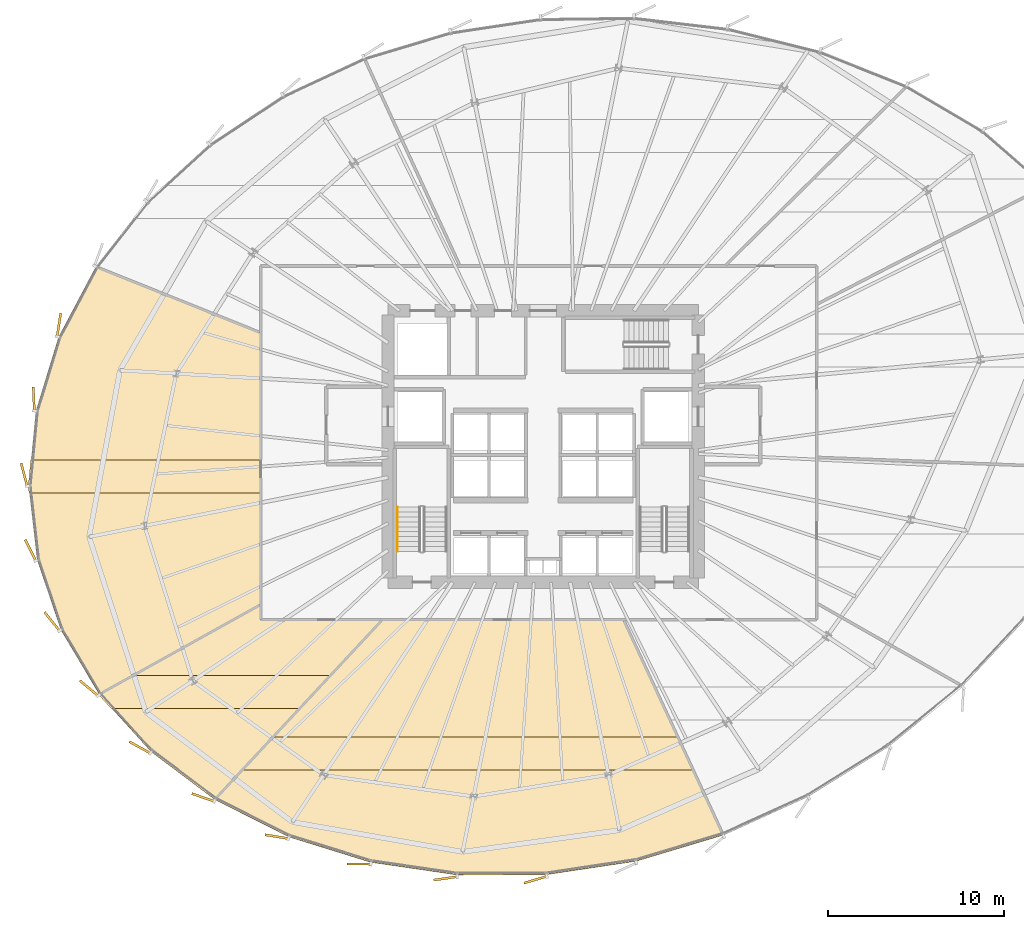
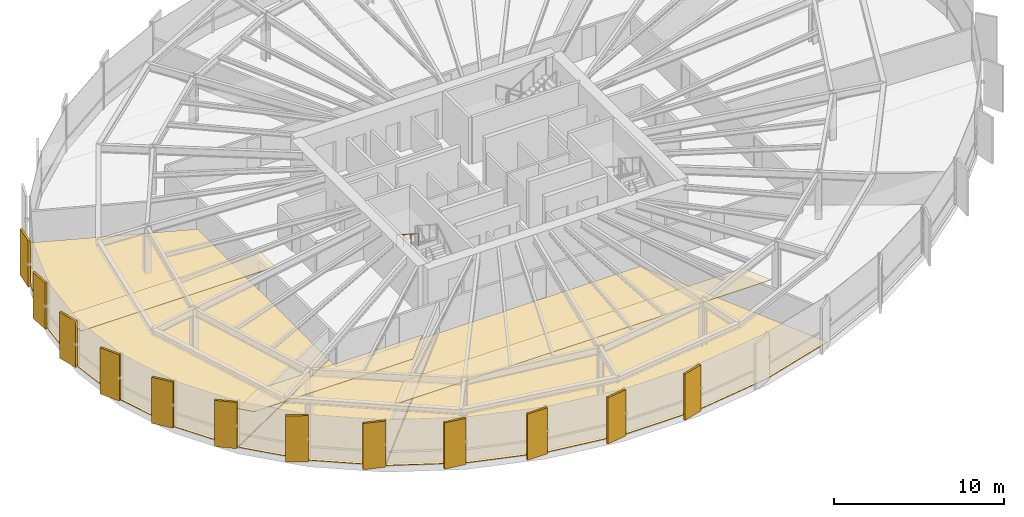
# One storey, part 32 of 35: 18 coverings, 1 railing.
"""IFC4 building model written with IfcOpenShell, lengths in metres."""

from ifc_helpers import new_model, si_unit, direction, frame, origin, origin_2d, place, context, subcontext, project, spatial, polyline, rectangle, circle, outline, extrude, source, transform, mapped, material, layer, layer_set, type_object, element, save


model = new_model("IFC4")

# Units and contexts
model_context = context("Model", 3, precision=1e-05, world=origin(), true_north=direction((0.0, 1.0)))
body_context = subcontext(model_context, "Body", "Model", "MODEL_VIEW")
ifc_project = project(units=[si_unit("LENGTHUNIT", "METRE"), si_unit("AREAUNIT", "SQUARE_METRE"), si_unit("VOLUMEUNIT", "CUBIC_METRE"), si_unit("PLANEANGLEUNIT", "RADIAN"), si_unit("MASSUNIT", "GRAM", prefix="KILO"), si_unit("THERMODYNAMICTEMPERATUREUNIT", "KELVIN")], contexts=[model_context])

# Site, building, storey
site_placement = place(None, origin())
site = spatial("IfcSite", under=ifc_project, at=site_placement, CompositionType="ELEMENT")
building_placement = place(site_placement, origin())
building = spatial("IfcBuilding", under=site, at=building_placement, Name="Kethvar Cultural Tower", CompositionType="ELEMENT")
storey_placement = place(building_placement, frame((0.0, 0.0, 85.60009765625)))
storey = spatial("IfcBuildingStorey", under=building, at=storey_placement, Name="L20", CompositionType="ELEMENT", Elevation=85.60009765625)

# Coverings
ifc_material_1 = material(Name="Acoustic Mineral Fibre Ceiling")
ifc_layer_1 = layer(ifc_material_1, 0.0400390625, Name="Acoustic Mineral Fibre Ceiling")
ifc_layer_set_1 = layer_set([ifc_layer_1], Name="Acoustic Mineral Fibre Ceiling (40 mm)")
covering_type_1 = type_object("IfcCoveringType", Name="CV-ACOUSTIC-CEIL", PredefinedType="CEILING", material=ifc_layer_set_1)
covering_1_placement = place(storey_placement, frame((0.0, 0.0, 2.77978515625)))
element("IfcCovering", 1, at=covering_1_placement, inside=storey, type_object=covering_type_1, Name="L20 Room 01 Acoustic Ceiling Panel", PredefinedType="CEILING", context=body_context, shape_type="SweptSolid", body=[
    extrude(outline(polyline([(21.602783203125, 13.70458984375), (23.541015625, 14.816650390625), (34.77197265625, 14.816650390625), (33.03564453125, 12.946533203125), (22.291015625, 12.946533203125), (21.602783203125, 13.70458984375)])), origin(), (0.0, 0.0, 1.0), 0.0400390625),
])
covering_2_placement = place(storey_placement, frame((0.0, 0.0, 2.77978515625)))
element("IfcCovering", 2, at=covering_2_placement, inside=storey, type_object=covering_type_1, Name="L20 Room 02 Acoustic Ceiling Panel", PredefinedType="CEILING", context=body_context, shape_type="SweptSolid", body=[
    extrude(outline(polyline([(31.477783203125, 11.327392578125), (54.45263671875, 11.327392578125), (55.31884765625, 9.45751953125), (29.741455078125, 9.45751953125), (31.477783203125, 11.327392578125)])), origin(), (0.0, 0.0, 1.0), 0.0400390625),
])
covering_3_placement = place(storey_placement, frame((0.0, 0.0, 2.77978515625)))
element("IfcCovering", 3, at=covering_3_placement, inside=storey, type_object=covering_type_1, Name="L20 Room 09 Acoustic Ceiling Panel", PredefinedType="CEILING", context=body_context, shape_type="SweptSolid", body=[
    extrude(outline(polyline([(17.589111328125, 25.564453125), (17.729248046875, 27.025146484375), (30.7900390625, 27.025146484375), (30.7900390625, 25.1552734375), (17.6357421875, 25.1552734375), (17.589111328125, 25.564453125)])), origin(), (0.0, 0.0, 1.0), 0.0400390625),
])
ifc_material_2 = material(Name="Architectural Oak Timber", Category="wood")
ifc_layer_2 = layer(ifc_material_2, 0.02490234375, Name="Architectural Oak Timber", Category="wood")
ifc_layer_set_2 = layer_set([ifc_layer_2], Name="Architectural Oak Timber (25 mm)")
covering_type_2 = type_object("IfcCoveringType", Name="CV-OAK-FLOOR", PredefinedType="FLOORING", material=ifc_layer_set_2)
covering_4_placement = place(storey_placement, origin())
element("IfcCovering", 4, at=covering_4_placement, inside=storey, type_object=covering_type_2, Name="L20 Room 01 Floor Finish", PredefinedType="FLOORING", context=body_context, shape_type="SweptSolid", body=[
    extrude(outline(polyline([(24.577392578125, 10.4873046875), (21.6494140625, 13.712890625), (30.75, 18.802001953125), (30.76806640625, 17.960205078125), (37.635986328125, 17.9599609375), (28.18359375, 7.77978515625), (24.577392578125, 10.4873046875)])), origin(), (0.0, 0.0, 1.0), 0.02490234375),
])
covering_5_placement = place(storey_placement, origin())
element("IfcCovering", 5, at=covering_5_placement, inside=storey, type_object=covering_type_2, Name="L20 Room 02 Floor Finish", PredefinedType="FLOORING", context=body_context, shape_type="SweptSolid", body=[
    extrude(outline(polyline([(56.98876953125, 5.7568359375), (52.05712890625, 4.281005859375), (46.993896484375, 3.5244140625), (41.925048828125, 3.505615234375), (37.004150390625, 4.225341796875), (32.38134765625, 5.661376953125), (28.218994140625, 7.7587890625), (37.690673828125, 17.9599609375), (51.336181640625, 17.9599609375), (56.98876953125, 5.7568359375)])), origin(), (0.0, 0.0, 1.0), 0.02490234375),
])
covering_6_placement = place(storey_placement, origin())
element("IfcCovering", 6, at=covering_6_placement, inside=storey, type_object=covering_type_2, Name="L20 Room 09 Floor Finish", PredefinedType="FLOORING", context=body_context, shape_type="SweptSolid", body=[
    extrude(outline(polyline([(19.45458984375, 17.400146484375), (18.10595703125, 21.385986328125), (17.62890625, 25.56689453125), (18.0380859375, 29.815673828125), (19.321044921875, 34.00341796875), (21.43115234375, 37.98828125), (30.75, 34.238037109375), (30.75, 18.847900390625), (21.624755859375, 13.7451171875), (19.45458984375, 17.400146484375)])), origin(), (0.0, 0.0, 1.0), 0.02490234375),
])

# Railing
ifc_material_3 = material(Name="Steel S355J2", Category="steel")
railing_type = type_object("IfcRailingType", Name="RL-STAIR-HANDRAIL", PredefinedType="HANDRAIL", material=ifc_material_3)
railing_placement = place(storey_placement, frame((38.5400390625, 24.3701171875, 1.97998046875)))
element("IfcRailing", 7, at=railing_placement, inside=storey, type_object=railing_type, Name="L20 ST-01 stair handrail 2", PredefinedType="HANDRAIL", context=body_context, shape_type="SweptSolid", body=[
    extrude(circle(Radius=0.02392578125, at=origin_2d()), frame((0.0, 0.0, 0.8759765625), z_axis=(0.0, -0.841199657755, 0.540724639528), x_axis=(1.0, 0.0, 0.0)), (0.0, 0.0, 1.0), 2.995849609375),
    extrude(circle(Radius=0.02099609375, at=origin_2d()), origin(), (0.0, 0.0, 1.0), 0.851806640625),
    extrude(circle(Radius=0.02099609375, at=origin_2d()), frame((0.0, -0.840087890625, 0.5400390625)), (0.0, 0.0, 1.0), 0.851806640625),
    extrude(circle(Radius=0.02099609375, at=origin_2d()), frame((0.0, -1.679931640625, 1.079833984375)), (0.0, 0.0, 1.0), 0.851806640625),
    extrude(circle(Radius=0.02099609375, at=origin_2d()), frame((0.0, -2.52001953125, 1.619873046875)), (0.0, 0.0, 1.0), 0.851806640625),
])

# Coverings
ifc_material_4 = material(Name="Extruded Architectural Terracotta", Category="masonry")
ifc_layer_3 = layer(ifc_material_4, 0.135009765625, Name="Extruded Architectural Terracotta", Category="masonry")
ifc_layer_set_3 = layer_set([ifc_layer_3], Name="Extruded Architectural Terracotta (135 mm)")
covering_type_3 = type_object("IfcCoveringType", Name="Terracotta Facade Fin FIN-02", PredefinedType="CLADDING", material=ifc_layer_set_3)
shared_shape = source(origin(), body_context, "Body", "SweptSolid", [
    extrude(rectangle(XDim=1.35009765625, YDim=0.135009765625, at=origin_2d()), origin(), (0.0, 0.0, 1.0), 3.31005859375),
])
for number, where, z_axis, x_axis, name in (
    (8, (19.33203125, 34.700927734375, 0.019775390625), (0.0, 0.0, 1.0), (0.156951595979, 0.987606296314, 0.0), "L20 Vertical Terracotta Fin 3.4"),
    (9, (17.909423828125, 30.501708984375, 0.019775390625), (0.0, 0.0, 1.0), (-0.043619387365, 0.999048221582, 0.0), "L20 Vertical Terracotta Fin 3.5"),
    (10, (17.3603515625, 26.211181640625, 0.019775390625), (0.0, 0.0, 1.0), (-0.25054897388, 0.968103926078, 0.0), "L20 Vertical Terracotta Fin 3.6"),
    (11, (17.719970703125, 21.922119140625, 0.019775390625), (0.0, 0.0, 1.0), (-0.449163069051, 0.89344979568, 0.0), "L20 Vertical Terracotta Fin 4.1"),
    (12, (18.9453125, 17.877685546875, 0.019775390625), (0.0, 0.0, 1.0), (-0.625242656336, 0.780430407338, 0.0), "L20 Vertical Terracotta Fin 4.2"),
    (13, (21.03955078125, 14.09619140625, 0.019775390625), (0.0, 0.0, 1.0), (-0.768618578918, 0.639707339446, 0.0), "L20 Vertical Terracotta Fin 4.3"),
    (14, (23.925048828125, 10.734619140625, 0.019775390625), (0.0, 0.0, 1.0), (-0.875464527, 0.483282383255, 0.0), "L20 Vertical Terracotta Fin 4.4"),
    (15, (27.510986328125, 7.898193359375, 0.019775390625), (0.0, 0.0, 1.0), (-0.946986216842, 0.321274189923, 0.0), "L20 Vertical Terracotta Fin 4.5"),
    (16, (31.683837890625, 5.6748046875, 0.019775390625), (0.0, 0.0, 1.0), (-0.986968296657, 0.160914826518, 0.0), "L20 Vertical Terracotta Fin 4.6"),
    (17, (36.351806640625, 4.12451171875, 0.019775390625), (0.0, 0.0, 1.0), (-0.999984403629, 0.005585024571, 0.0), "L20 Vertical Terracotta Fin 5.1"),
    (18, (41.255859375, 3.309326171875, 0.019775390625), (0.0, 0.0, 1.0), (-0.989751322388, -0.142801680073, 0.0), "L20 Vertical Terracotta Fin 5.2"),
    (19, (46.360107421875, 3.2333984375, 0.019775390625), (0.0, 0.0, 1.0), (-0.958819734868, -0.284015344704, 0.0), "L20 Vertical Terracotta Fin 5.3"),
):
    element("IfcCovering", number, at=place(storey_placement, frame(where, z_axis=z_axis, x_axis=x_axis)), inside=storey, type_object=covering_type_3, Name=name, PredefinedType="CLADDING", context=body_context, shape_type="MappedRepresentation", body=[
        mapped(shared_shape, transform((0.0, 0.0, 0.0), scale=1.0)),
    ])

save(model, "model.ifc")
